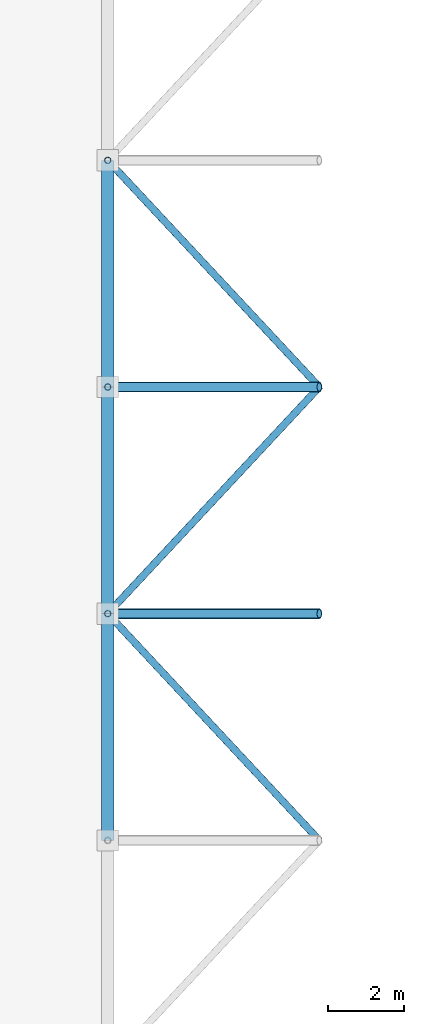
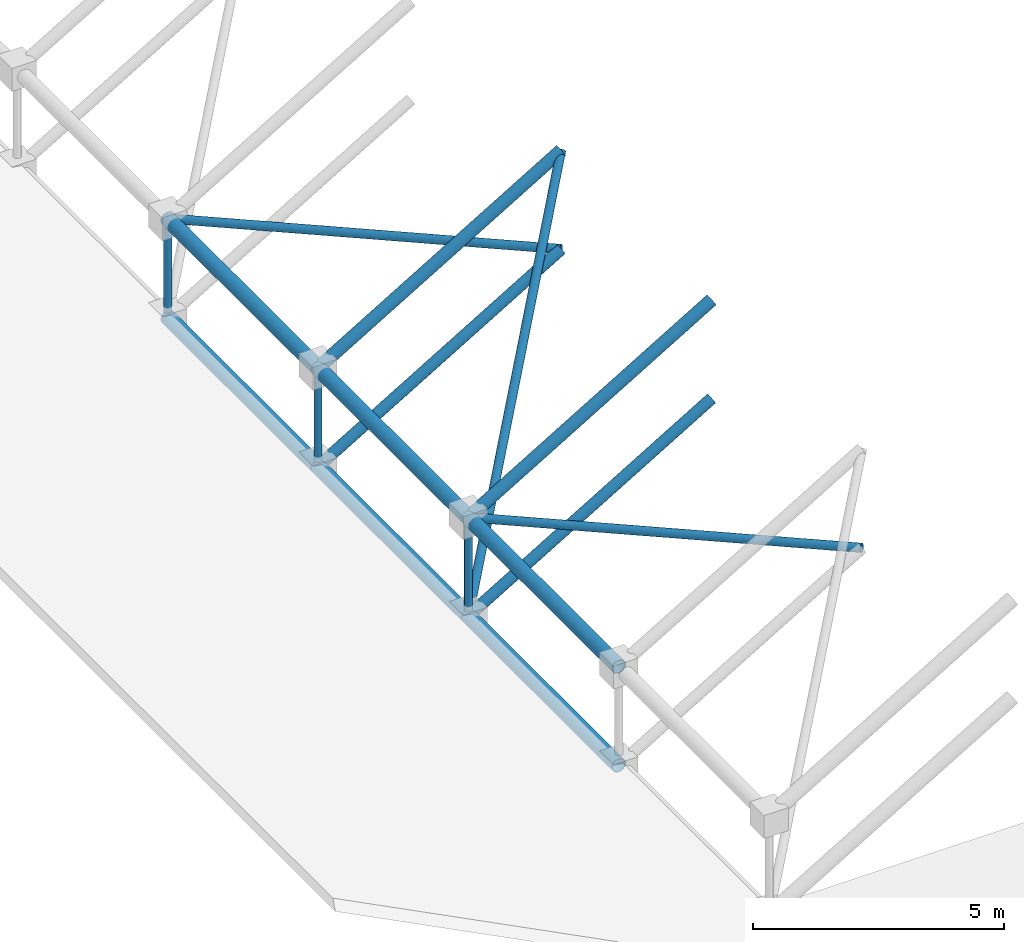
# One storey, part 90 of 148: 16 members.
"""IFC4 building model written with IfcOpenShell, lengths in metres."""

from ifc_helpers import new_model, si_unit, direction, frame, origin, origin_2d, place, context, subcontext, project, spatial, hollow_circle, extrude, material, material_profile, profile_set, type_object, element, save


model = new_model("IFC4")

# Units and contexts
model_context = context("Model", 3, precision=1e-05, world=origin(), true_north=direction((0.0, 1.0)))
body_context = subcontext(model_context, "Body", "Model", "MODEL_VIEW")
ifc_project = project(units=[si_unit("LENGTHUNIT", "METRE"), si_unit("AREAUNIT", "SQUARE_METRE"), si_unit("VOLUMEUNIT", "CUBIC_METRE"), si_unit("PLANEANGLEUNIT", "RADIAN"), si_unit("MASSUNIT", "GRAM", prefix="KILO")], contexts=[model_context])

# Site, building, storey
site_placement = place(None, origin())
site = spatial("IfcSite", under=ifc_project, at=site_placement, CompositionType="ELEMENT")
building_placement = place(site_placement, origin())
building = spatial("IfcBuilding", under=site, at=building_placement, Name="Trelvath General Hospital", CompositionType="ELEMENT")
storey_placement = place(building_placement, frame((0.0, 0.0, 12.89990234375)))
storey = spatial("IfcBuildingStorey", under=building, at=storey_placement, Name="L03", CompositionType="ELEMENT", Elevation=12.89990234375)

# Members
ifc_material_1 = material(Name="Steel S355", Category="steel")
ifc_material_profile_1 = material_profile(ifc_material_1, hollow_circle(Radius=0.122314453125, WallThickness=0.010009765625, at=origin_2d()), Name="CHS244.5x10.0")
ifc_profile_set_1 = profile_set([ifc_material_profile_1], Name="Steel S355")
member_type_1 = type_object("IfcMemberType", Name="SpaceFrameBottomChord CHS244", PredefinedType="CHORD", material=ifc_profile_set_1)
for number, where, z_axis, x_axis, name in (
    (1, (142.800048828125, 37.199951171875, 0.0), (0.859276026628, 0.0, 0.511512179779), (0.0, 1.0, 0.0), "Space Frame Bottom Chord X 1-3"),
    (2, (142.800048828125, 43.199951171875, 0.0), (0.859276026628, 0.0, 0.511512179779), (0.0, 1.0, 0.0), "Space Frame Bottom Chord X 1-4"),
):
    element("IfcMember", number, at=place(storey_placement, frame(where, z_axis=z_axis, x_axis=x_axis)), inside=storey, type_object=member_type_1, Name=name, PredefinedType="CHORD", context=body_context, shape_type="SweptSolid", body=[
        extrude(hollow_circle(Radius=0.122314453125, WallThickness=0.010009765625, at=origin_2d()), origin(), (0.0, 0.0, 1.0), 6.516845703125),
    ])
ifc_material_2 = material(Name="Steel S355", Category="steel")
ifc_material_profile_2 = material_profile(ifc_material_2, hollow_circle(Radius=0.096923828125, WallThickness=0.008056640625, at=origin_2d()), Name="CHS193.7x8.0")
ifc_profile_set_2 = profile_set([ifc_material_profile_2], Name="Steel S355")
member_type_2 = type_object("IfcMemberType", Name="SpaceFrameDiagHeavy CHS193", PredefinedType="BRACE", material=ifc_profile_set_2)
member_1_placement = place(storey_placement, frame((148.39990234375, 31.199951171875, 3.33349609375), z_axis=(-0.677938923544, 0.726382133017, -0.112994746685), x_axis=(-0.731064171106, -0.682308711453, 0.0)))
element("IfcMember", 3, at=member_1_placement, inside=storey, type_object=member_type_2, Name="Space Frame Web Diagonal B 1-2", PredefinedType="BRACE", context=body_context, shape_type="SweptSolid", body=[
    extrude(hollow_circle(Radius=0.096923828125, WallThickness=0.008056640625, at=origin_2d()), origin(), (0.0, 0.0, 1.0), 8.260009765625),
])
member_2_placement = place(storey_placement, frame((142.800048828125, 37.199951171875, 0.0), z_axis=(0.559341871551, 0.599310539095, 0.572681018071), x_axis=(-0.731064171106, 0.682308711453, 0.0)))
element("IfcMember", 4, at=member_2_placement, inside=storey, type_object=member_type_2, Name="Space Frame Web Diagonal A 1-3", PredefinedType="BRACE", context=body_context, shape_type="SweptSolid", body=[
    extrude(hollow_circle(Radius=0.096923828125, WallThickness=0.008056640625, at=origin_2d()), origin(), (0.0, 0.0, 1.0), 10.011474609375),
])
member_3_placement = place(storey_placement, frame((148.39990234375, 43.199951171875, 3.33349609375), z_axis=(-0.677938923544, 0.726382133017, -0.112994746685), x_axis=(-0.731064171106, -0.682308711453, 0.0)))
element("IfcMember", 5, at=member_3_placement, inside=storey, type_object=member_type_2, Name="Space Frame Web Diagonal B 1-4", PredefinedType="BRACE", context=body_context, shape_type="SweptSolid", body=[
    extrude(hollow_circle(Radius=0.096923828125, WallThickness=0.008056640625, at=origin_2d()), origin(), (0.0, 0.0, 1.0), 8.260009765625),
])
ifc_material_3 = material(Name="Steel S355", Category="steel")
ifc_material_profile_3 = material_profile(ifc_material_3, hollow_circle(Radius=0.084228515625, WallThickness=0.008056640625, at=origin_2d()), Name="CHS168.3x8.0")
ifc_profile_set_3 = profile_set([ifc_material_profile_3], Name="Steel S355")
member_type_3 = type_object("IfcMemberType", Name="SpaceFrameDiagStd CHS168", PredefinedType="BRACE", material=ifc_profile_set_3)
for number, where, z_axis, x_axis, name in (
    (6, (142.800048828125, 37.199951171875, 0.0), (0.0, 0.0, 1.0), (1.0, 0.0, 0.0), "Space Frame Web Post 1-3"),
    (7, (142.800048828125, 43.199951171875, 0.0), (0.0, 0.0, 1.0), (1.0, 0.0, 0.0), "Space Frame Web Post 1-4"),
    (8, (142.800048828125, 49.199951171875, 0.0), (0.0, 0.0, 1.0), (1.0, 0.0, 0.0), "Space Frame Web Post 1-5"),
):
    element("IfcMember", number, at=place(storey_placement, frame(where, z_axis=z_axis, x_axis=x_axis)), inside=storey, type_object=member_type_3, Name=name, PredefinedType="BRACE", context=body_context, shape_type="SweptSolid", body=[
        extrude(hollow_circle(Radius=0.084228515625, WallThickness=0.008056640625, at=origin_2d()), origin(), (0.0, 0.0, 1.0), 2.400146484375),
    ])
ifc_material_4 = material(Name="Steel S355", Category="steel")
ifc_material_profile_4 = material_profile(ifc_material_4, hollow_circle(Radius=0.161865234375, WallThickness=0.012451171875, at=origin_2d()), Name="CHS323.9x12.5")
ifc_profile_set_4 = profile_set([ifc_material_profile_4], Name="Steel S355")
member_type_4 = type_object("IfcMemberType", Name="SpaceFrameEdgeChord CHS323", PredefinedType="CHORD", material=ifc_profile_set_4)
for number, where, z_axis, x_axis, name in (
    (9, (142.800048828125, 31.199951171875, 0.0), (0.0, 1.0, 0.0), (-1.0, 0.0, 0.0), "Space Frame Bottom Chord Y 1-2"),
    (10, (142.800048828125, 31.199951171875, 2.400146484375), (0.0, 1.0, 0.0), (-1.0, 0.0, 0.0), "Space Frame Top Chord Y 1-2"),
    (11, (142.800048828125, 37.199951171875, 0.0), (0.0, 1.0, 0.0), (-1.0, 0.0, 0.0), "Space Frame Bottom Chord Y 1-3"),
    (12, (142.800048828125, 37.199951171875, 2.400146484375), (0.0, 1.0, 0.0), (-1.0, 0.0, 0.0), "Space Frame Top Chord Y 1-3"),
    (13, (142.800048828125, 43.199951171875, 0.0), (0.0, 1.0, 0.0), (-1.0, 0.0, 0.0), "Space Frame Bottom Chord Y 1-4"),
    (14, (142.800048828125, 43.199951171875, 2.400146484375), (0.0, 1.0, 0.0), (-1.0, 0.0, 0.0), "Space Frame Top Chord Y 1-4"),
):
    element("IfcMember", number, at=place(storey_placement, frame(where, z_axis=z_axis, x_axis=x_axis)), inside=storey, type_object=member_type_4, Name=name, PredefinedType="CHORD", context=body_context, shape_type="SweptSolid", body=[
        extrude(hollow_circle(Radius=0.161865234375, WallThickness=0.012451171875, at=origin_2d()), origin(), (0.0, 0.0, 1.0), 6.0),
    ])
ifc_material_5 = material(Name="Steel S355", Category="steel")
ifc_material_profile_5 = material_profile(ifc_material_5, hollow_circle(Radius=0.136474609375, WallThickness=0.012451171875, at=origin_2d()), Name="CHS273.0x12.5")
ifc_profile_set_5 = profile_set([ifc_material_profile_5], Name="Steel S355")
member_type_5 = type_object("IfcMemberType", Name="SpaceFrameTopChord CHS273", PredefinedType="CHORD", material=ifc_profile_set_5)
for number, where, z_axis, x_axis, name in (
    (15, (142.800048828125, 37.199951171875, 2.400146484375), (0.859292492371, 0.0, 0.511484518392), (0.0, 1.0, 0.0), "Space Frame Top Chord X 1-3"),
    (16, (142.800048828125, 43.199951171875, 2.400146484375), (0.859292492371, 0.0, 0.511484518392), (0.0, 1.0, 0.0), "Space Frame Top Chord X 1-4"),
):
    element("IfcMember", number, at=place(storey_placement, frame(where, z_axis=z_axis, x_axis=x_axis)), inside=storey, type_object=member_type_5, Name=name, PredefinedType="CHORD", context=body_context, shape_type="SweptSolid", body=[
        extrude(hollow_circle(Radius=0.136474609375, WallThickness=0.012451171875, at=origin_2d()), origin(), (0.0, 0.0, 1.0), 6.516845703125),
    ])

save(model, "model.ifc")
